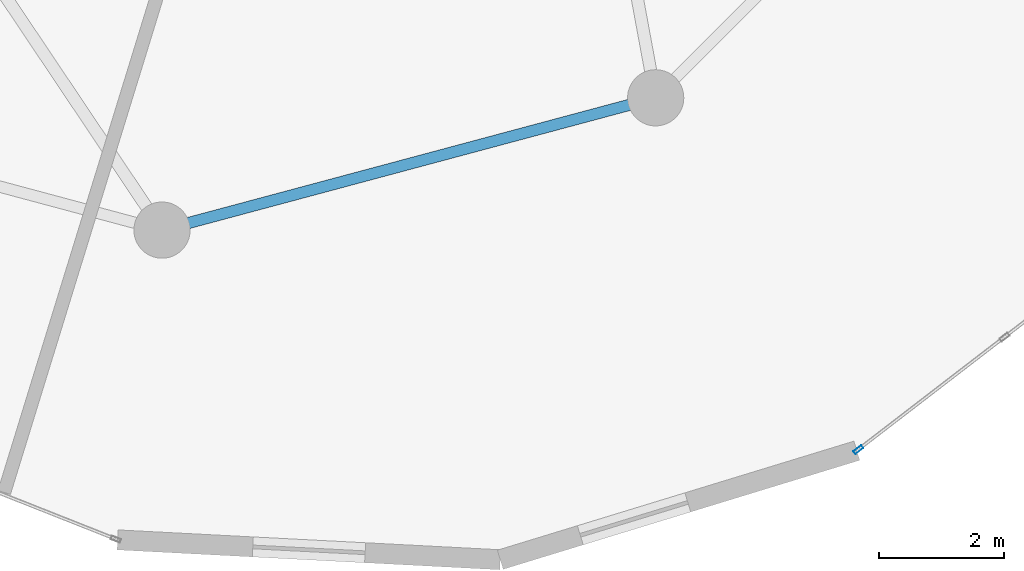
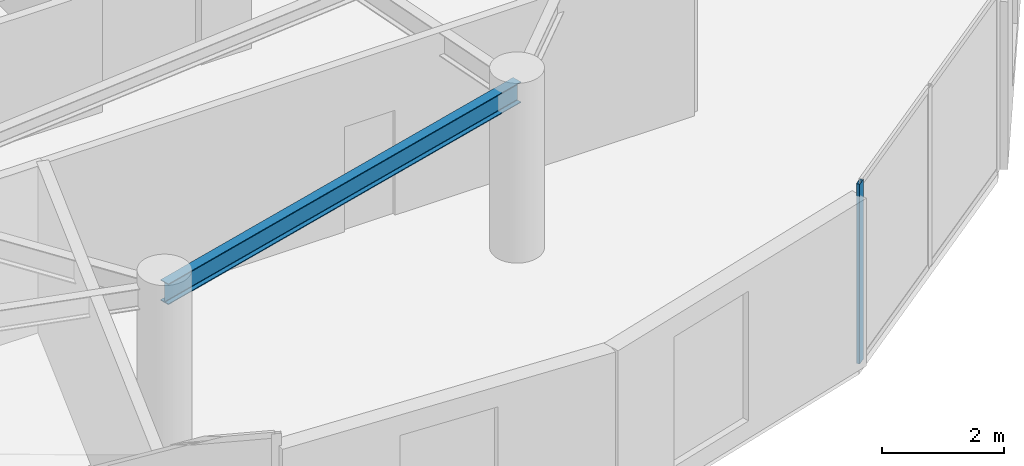
# One storey, part 4 of 18: 1 beam, 1 member, 1 element without a shape of its own.
"""IFC4 building model written with IfcOpenShell, lengths in metres."""

from ifc_helpers import new_model, si_unit, direction, frame, origin, origin_2d, place, context, subcontext, project, spatial, hollow_rectangle, i_section, extrude, source, transform, mapped, material, layer, layer_set, material_profile, profile_set, type_object, element, aggregate, save


model = new_model("IFC4")

# Units and contexts
model_context = context("Model", 3, precision=1e-05, world=origin(), true_north=direction((0.0, 1.0)))
body_context = subcontext(model_context, "Body", "Model", "MODEL_VIEW")
ifc_project = project(units=[si_unit("LENGTHUNIT", "METRE"), si_unit("AREAUNIT", "SQUARE_METRE"), si_unit("VOLUMEUNIT", "CUBIC_METRE"), si_unit("PLANEANGLEUNIT", "RADIAN"), si_unit("MASSUNIT", "GRAM", prefix="KILO")], contexts=[model_context])

# Site, building, storey
site_placement = place(None, origin())
site = spatial("IfcSite", under=ifc_project, at=site_placement, CompositionType="ELEMENT")
building_placement = place(site_placement, origin())
building = spatial("IfcBuilding", under=site, at=building_placement, Name="Solvirekh Grand Hotel", CompositionType="ELEMENT")
storey_placement = place(building_placement, frame((0.0, 0.0, 198.39990234375)))
storey = spatial("IfcBuildingStorey", under=building, at=storey_placement, Name="L51", CompositionType="ELEMENT", Elevation=198.39990234375)

# Beam
ifc_material_1 = material(Name="Steel S355", Category="steel")
ifc_material_profile_1 = material_profile(ifc_material_1, i_section(OverallWidth=0.180908203125, OverallDepth=0.4169921875, WebThickness=0.010009765625, FlangeThickness=0.01611328125, FilletRadius=0.011962890625, at=origin_2d()), Name="W410X85")
ifc_profile_set_1 = profile_set([ifc_material_profile_1], Name="Steel S355")
beam_type = type_object("IfcBeamType", Name="Spandrel_Ring_W410", PredefinedType="SPANDREL", material=ifc_profile_set_1)
beam_placement = place(storey_placement, frame((0.0, -15.800048828125, 3.152099609375), z_axis=(0.965920601923, 0.258838541915, 0.0), x_axis=(-0.258838541915, 0.965920601923, 0.0)))
element("IfcBeam", 1, at=beam_placement, inside=storey, type_object=beam_type, Name="L51 perimeter spandrel beam 10", PredefinedType="SPANDREL", context=body_context, shape_type="SweptSolid", body=[
    extrude(i_section(OverallWidth=0.180908203125, OverallDepth=0.4169921875, WebThickness=0.010009765625, FlangeThickness=0.01611328125, FilletRadius=0.011962890625, at=origin_2d()), origin(), (0.0, 0.0, 1.0), 8.1787109375),
])

# Curtain wall, member
ifc_material_2 = material(Name="Anodized Bronze Aluminium 6063-T6", Category="aluminium")
ifc_layer = layer(ifc_material_2, 0.159912109375)
ifc_layer_set = layer_set([ifc_layer], Name="Anodized Bronze Aluminium 6063-T6")
curtain_wall_type = type_object("IfcCurtainWallType", Name="CW_Sys4_HighZoneFlushBronzeCW", PredefinedType="NOTDEFINED", material=ifc_layer_set)
curtain_wall_placement = place(storey_placement, origin())
curtain_wall = element("IfcCurtainWall", 2, at=curtain_wall_placement, inside=storey, type_object=curtain_wall_type, Name="L51 unitised bronze-glass curtain wall CW-L51-C01", PredefinedType="NOTDEFINED")
ifc_material_profile_2 = material_profile(ifc_material_2, hollow_rectangle(XDim=0.06005859375, YDim=0.159912109375, WallThickness=0.0048828125, at=origin_2d()), Name="ALU RHS 160X60X5")
ifc_profile_set_2 = profile_set([ifc_material_profile_2], Name="Anodized Bronze Aluminium 6063-T6")
member_type = type_object("IfcMemberType", Name="CWMullion_Sys4", PredefinedType="MULLION", material=ifc_profile_set_2)
shared_shape = source(origin(), body_context, "Body", "SweptSolid", [
    extrude(hollow_rectangle(XDim=0.06005859375, YDim=0.159912109375, WallThickness=0.0048828125, at=origin_2d()), origin(), (0.0, 0.0, 1.0), 3.60009765625),
])
member_placement = place(storey_placement, frame((11.142822265625, -19.312744140625, 0.0), z_axis=(0.0, 0.0, 1.0), x_axis=(-0.609556857521, 0.792742352501, 0.0)))
member = element("IfcMember", 3, at=member_placement, type_object=member_type, Name="U04 mullion 1", PredefinedType="MULLION", context=body_context, shape_type="MappedRepresentation", body=[
    mapped(shared_shape, transform((0.0, 0.0, 0.0), x_axis=(1.0, 0.0, 0.0), y_axis=(0.0, 1.0, 0.0), z_axis=(0.0, 0.0, 1.0), scale=1.0)),
])
aggregate(curtain_wall, [member])

save(model, "model.ifc")
